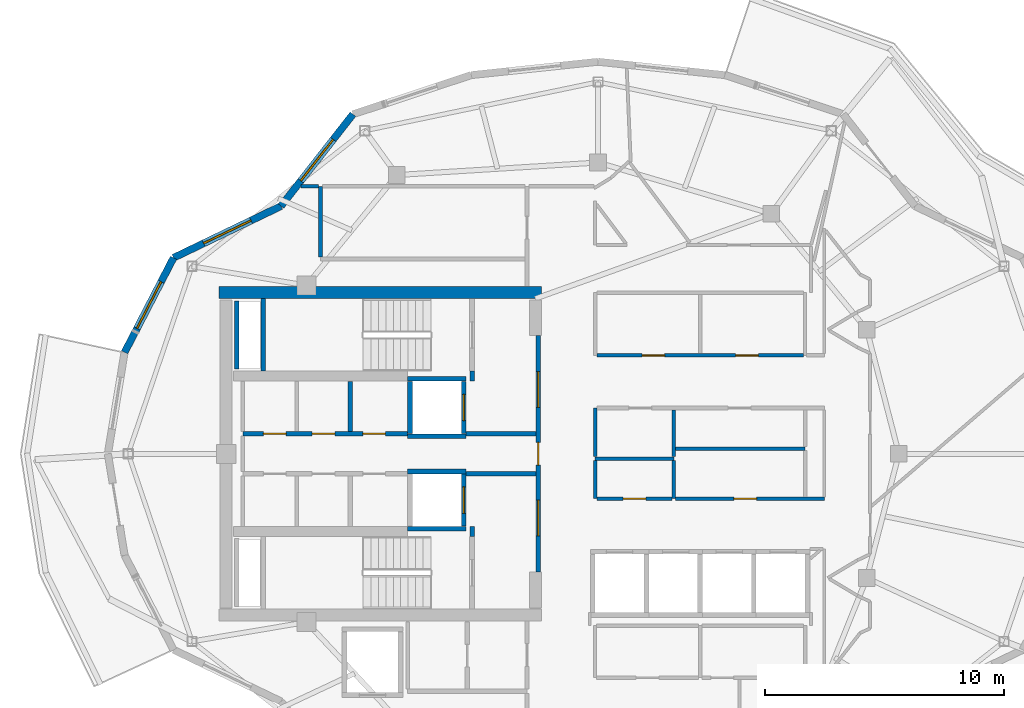
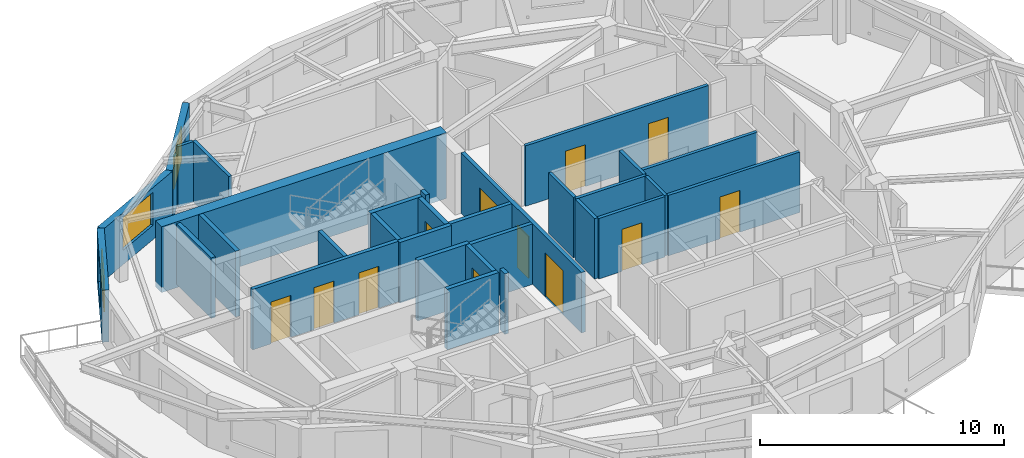
# One storey, part 5 of 11: 31 walls, 12 doors, 3 windows, 15 openings.
"""IFC4 building model written with IfcOpenShell, lengths in metres."""

from ifc_helpers import new_model, si_unit, direction, frame, frame_2d, origin, place, context, subcontext, project, spatial, rectangle, extrude, material, layer, layer_set, type_object, element, fill, save


model = new_model("IFC4")

# Units and contexts
model_context = context("Model", 3, precision=1e-05, world=origin(), true_north=direction((0.0, 1.0)))
body_context = subcontext(model_context, "Body", "Model", "MODEL_VIEW")
ifc_project = project(units=[si_unit("LENGTHUNIT", "METRE"), si_unit("AREAUNIT", "SQUARE_METRE"), si_unit("VOLUMEUNIT", "CUBIC_METRE"), si_unit("PLANEANGLEUNIT", "RADIAN"), si_unit("MASSUNIT", "GRAM", prefix="KILO")], contexts=[model_context])

# Site, building, storey
site_placement = place(None, origin())
site = spatial("IfcSite", under=ifc_project, at=site_placement, CompositionType="ELEMENT")
building_placement = place(site_placement, origin())
building = spatial("IfcBuilding", under=site, at=building_placement, Name="Kolvaren Gate Tower and Convention Centre", CompositionType="ELEMENT")
storey_placement = place(building_placement, frame((0.0, 0.0, 262.39990234375)))
storey = spatial("IfcBuildingStorey", under=building, at=storey_placement, Name="L71", CompositionType="ELEMENT", Elevation=262.39990234375)

# Walls
ifc_material_1 = material(Name="Autoclaved Aerated Masonry Blockwork Class 4 (4.0 MPa)", Category="masonry")
ifc_layer_1 = layer(ifc_material_1, 0.179931640625)
ifc_layer_set_1 = layer_set([ifc_layer_1], Name="Autoclaved Aerated Masonry Blockwork Class 4 (4.0 MPa)")
wall_type_1 = type_object("IfcWallType", Name="ARCH-WL-COMP-180", PredefinedType="SOLIDWALL", material=ifc_layer_set_1)
for number, where, z_axis, x_axis, name in (
    (1, (24.85009765625, 23.5400390625, 0.0), (0.0, 0.0, 1.0), (0.0, 1.0, 0.0), "Interior Partition WL-L71-INT-001"),
    (2, (24.85009765625, 30.0400390625, 0.0), (0.0, 0.0, 1.0), (0.0, 1.0, 0.0), "Interior Partition WL-L71-INT-002"),
):
    element("IfcWall", number, at=place(storey_placement, frame(where, z_axis=z_axis, x_axis=x_axis)), inside=storey, type_object=wall_type_1, Name=name, PredefinedType="SOLIDWALL", context=body_context, shape_type="SweptSolid", body=[
        extrude(rectangle(XDim=0.419921875, YDim=0.179931640625, at=frame_2d((0.2099609375, 0.0))), origin(), (0.0, 0.0, 1.0), 3.030029296875),
    ])

# Wall, openings, doors
wall_1_placement = place(storey_placement, frame((27.6201171875, 22.050048828125, 0.0), z_axis=(0.0, 0.0, 1.0), x_axis=(0.0, 1.0, 0.0)))
wall_1 = element("IfcWall", 3, at=wall_1_placement, inside=storey, type_object=wall_type_1, Name="Interior Partition WL-L71-INT-003", PredefinedType="SOLIDWALL", context=body_context, shape_type="SweptSolid", body=[
    extrude(rectangle(XDim=9.89990234375, YDim=0.179931640625, at=frame_2d((4.949951171875, 0.0))), origin(), (0.0, 0.0, 1.0), 3.030029296875),
])
opening_1_placement = place(wall_1_placement, frame((4.47509765625, 0.0, 0.0)))
opening_1 = element("IfcOpeningElement", 4, at=opening_1_placement, cuts=wall_1, Name="Opening DR-01", PredefinedType="OPENING", context=body_context, shape_type="SweptSolid", body=[
    extrude(rectangle(XDim=0.949951171875, YDim=2.10009765625, at=frame_2d((0.47509765625, 1.050048828125))), frame((0.0, 0.099853515625, 0.0), z_axis=(0.0, -1.0, 0.0), x_axis=(1.0, 0.0, 0.0)), (0.0, 0.0, 1.0), 0.199951171875),
])
opening_2_placement = place(wall_1_placement, frame((6.889892578125, 0.0, 0.0)))
opening_2 = element("IfcOpeningElement", 5, at=opening_2_placement, cuts=wall_1, Name="Opening DL-01", PredefinedType="OPENING", context=body_context, shape_type="SweptSolid", body=[
    extrude(rectangle(XDim=1.5, YDim=2.199951171875, at=frame_2d((0.75, 1.10009765625))), frame((0.0, 0.099853515625, 0.0), z_axis=(0.0, -1.0, 0.0), x_axis=(1.0, 0.0, 0.0)), (0.0, 0.0, 1.0), 0.199951171875),
])
opening_3_placement = place(wall_1_placement, frame((1.510009765625, 0.0, 0.0)))
opening_3 = element("IfcOpeningElement", 6, at=opening_3_placement, cuts=wall_1, Name="Opening DL-01", PredefinedType="OPENING", context=body_context, shape_type="SweptSolid", body=[
    extrude(rectangle(XDim=1.5, YDim=2.199951171875, at=frame_2d((0.75, 1.10009765625))), frame((0.0, 0.099853515625, 0.0), z_axis=(0.0, -1.0, 0.0), x_axis=(1.0, 0.0, 0.0)), (0.0, 0.0, 1.0), 0.199951171875),
])
ifc_material_2 = material(Name="Painted Architectural Steelwork ASTM A500 Grade C 345 MPa", Category="steel")
door_type_1 = type_object("IfcDoorType", Name="ARCH-DR-LOBBY-1500", OperationType="DOUBLE_DOOR_SINGLE_SWING", PredefinedType="DOOR", material=ifc_material_2)
door_1_placement = place(opening_2_placement, origin())
door_1 = element("IfcDoor", 7, at=door_1_placement, inside=storey, type_object=door_type_1, Name="North Firefighting Stair and Lift Lobby Door", OperationType="DOUBLE_DOOR_SINGLE_SWING", OverallHeight=2.199951171875, OverallWidth=1.5, PredefinedType="DOOR", context=body_context, shape_type="SweptSolid", body=[
    extrude(rectangle(XDim=1.5, YDim=2.199951171875, at=frame_2d((0.75, 1.10009765625))), frame((0.0, 0.02490234375, 0.0), z_axis=(0.0, -1.0, 0.0), x_axis=(1.0, 0.0, 0.0)), (0.0, 0.0, 1.0), 0.050048828125),
])
fill(opening_2, door_1)
door_2_placement = place(opening_3_placement, origin())
door_2 = element("IfcDoor", 8, at=door_2_placement, inside=storey, type_object=door_type_1, Name="South Firefighting Stair and Lift Lobby Door", OperationType="DOUBLE_DOOR_SINGLE_SWING", OverallHeight=2.199951171875, OverallWidth=1.5, PredefinedType="DOOR", context=body_context, shape_type="SweptSolid", body=[
    extrude(rectangle(XDim=1.5, YDim=2.199951171875, at=frame_2d((0.75, 1.10009765625))), frame((0.0, 0.02490234375, 0.0), z_axis=(0.0, -1.0, 0.0), x_axis=(1.0, 0.0, 0.0)), (0.0, 0.0, 1.0), 0.050048828125),
])
fill(opening_3, door_2)
door_type_2 = type_object("IfcDoorType", Name="ARCH-DR-RISER-950", OperationType="SINGLE_SWING_RIGHT", PredefinedType="DOOR", material=ifc_material_2)
door_3_placement = place(opening_1_placement, origin())
door_3 = element("IfcDoor", 9, at=door_3_placement, inside=storey, type_object=door_type_2, Name="Central MEP Service Corridor Door", OperationType="SINGLE_SWING_RIGHT", OverallHeight=2.10009765625, OverallWidth=0.949951171875, PredefinedType="DOOR", context=body_context, shape_type="SweptSolid", body=[
    extrude(rectangle(XDim=0.949951171875, YDim=2.10009765625, at=frame_2d((0.47509765625, 1.050048828125))), frame((0.0, 0.02490234375, 0.0), z_axis=(0.0, -1.0, 0.0), x_axis=(1.0, 0.0, 0.0)), (0.0, 0.0, 1.0), 0.050048828125),
])
fill(opening_1, door_3)

wall_2_placement = place(storey_placement, frame((15.25, 27.840087890625, 0.0), z_axis=(0.0, 0.0, 1.0), x_axis=(1.0, 0.0, 0.0)))
wall_2 = element("IfcWall", 10, at=wall_2_placement, inside=storey, type_object=wall_type_1, Name="Interior Partition WL-L71-INT-004", PredefinedType="SOLIDWALL", context=body_context, shape_type="SweptSolid", body=[
    extrude(rectangle(XDim=6.89990234375, YDim=0.179931640625, at=frame_2d((3.449951171875, 0.0))), origin(), (0.0, 0.0, 1.0), 3.030029296875),
])
opening_4_placement = place(wall_2_placement, frame((5.02001953125, 0.0, 0.0)))
opening_4 = element("IfcOpeningElement", 11, at=opening_4_placement, cuts=wall_2, Name="Opening DR-01", PredefinedType="OPENING", context=body_context, shape_type="SweptSolid", body=[
    extrude(rectangle(XDim=0.949951171875, YDim=2.10009765625, at=frame_2d((0.47509765625, 1.050048828125))), frame((0.0, 0.099853515625, 0.0), z_axis=(0.0, -1.0, 0.0), x_axis=(1.0, 0.0, 0.0)), (0.0, 0.0, 1.0), 0.199951171875),
])
opening_5_placement = place(wall_2_placement, frame((0.85498046875, 0.0, 0.0)))
opening_5 = element("IfcOpeningElement", 12, at=opening_5_placement, cuts=wall_2, Name="Opening DR-01", PredefinedType="OPENING", context=body_context, shape_type="SweptSolid", body=[
    extrude(rectangle(XDim=0.949951171875, YDim=2.10009765625, at=frame_2d((0.47509765625, 1.050048828125))), frame((0.0, 0.099853515625, 0.0), z_axis=(0.0, -1.0, 0.0), x_axis=(1.0, 0.0, 0.0)), (0.0, 0.0, 1.0), 0.199951171875),
])
opening_6_placement = place(wall_2_placement, frame((2.89990234375, 0.0, 0.0)))
opening_6 = element("IfcOpeningElement", 13, at=opening_6_placement, cuts=wall_2, Name="Opening DR-01", PredefinedType="OPENING", context=body_context, shape_type="SweptSolid", body=[
    extrude(rectangle(XDim=0.949951171875, YDim=2.10009765625, at=frame_2d((0.47509765625, 1.050048828125))), frame((0.0, 0.099853515625, 0.0), z_axis=(0.0, -1.0, 0.0), x_axis=(1.0, 0.0, 0.0)), (0.0, 0.0, 1.0), 0.199951171875),
])
door_4_placement = place(opening_4_placement, origin())
door_4 = element("IfcDoor", 14, at=door_4_placement, inside=storey, type_object=door_type_2, Name="Electrical Switchgear Closet Door", OperationType="SINGLE_SWING_LEFT", OverallHeight=2.10009765625, OverallWidth=0.949951171875, PredefinedType="DOOR", context=body_context, shape_type="SweptSolid", body=[
    extrude(rectangle(XDim=0.949951171875, YDim=2.10009765625, at=frame_2d((0.47509765625, 1.050048828125))), frame((0.0, 0.02490234375, 0.0), z_axis=(0.0, -1.0, 0.0), x_axis=(1.0, 0.0, 0.0)), (0.0, 0.0, 1.0), 0.050048828125),
])
fill(opening_4, door_4)
door_5_placement = place(opening_5_placement, origin())
door_5 = element("IfcDoor", 15, at=door_5_placement, inside=storey, type_object=door_type_2, Name="Staff Accessible WC Door", OperationType="SINGLE_SWING_LEFT", OverallHeight=2.10009765625, OverallWidth=0.949951171875, PredefinedType="DOOR", context=body_context, shape_type="SweptSolid", body=[
    extrude(rectangle(XDim=0.949951171875, YDim=2.10009765625, at=frame_2d((0.47509765625, 1.050048828125))), frame((0.0, 0.02490234375, 0.0), z_axis=(0.0, -1.0, 0.0), x_axis=(1.0, 0.0, 0.0)), (0.0, 0.0, 1.0), 0.050048828125),
])
fill(opening_5, door_5)
door_6_placement = place(opening_6_placement, origin())
door_6 = element("IfcDoor", 16, at=door_6_placement, inside=storey, type_object=door_type_2, Name="Housekeeping Sink Closet Door", OperationType="SINGLE_SWING_RIGHT", OverallHeight=2.10009765625, OverallWidth=0.949951171875, PredefinedType="DOOR", context=body_context, shape_type="SweptSolid", body=[
    extrude(rectangle(XDim=0.949951171875, YDim=2.10009765625, at=frame_2d((0.47509765625, 1.050048828125))), frame((0.0, 0.02490234375, 0.0), z_axis=(0.0, -1.0, 0.0), x_axis=(1.0, 0.0, 0.0)), (0.0, 0.0, 1.0), 0.050048828125),
])
fill(opening_6, door_6)

# Walls
for number, where, z_axis, x_axis, name in (
    (17, (24.60009765625, 27.840087890625, 0.0), (0.0, 0.0, 1.0), (1.0, 0.0, 0.0), "Interior Partition WL-L71-INT-004 (2)"),
    (18, (24.60009765625, 26.159912109375, 0.0), (0.0, 0.0, 1.0), (1.0, 0.0, 0.0), "Interior Partition WL-L71-INT-005 (2)"),
):
    element("IfcWall", number, at=place(storey_placement, frame(where, z_axis=z_axis, x_axis=x_axis)), inside=storey, type_object=wall_type_1, Name=name, PredefinedType="SOLIDWALL", context=body_context, shape_type="SweptSolid", body=[
        extrude(rectangle(XDim=2.927978515625, YDim=0.179931640625, at=frame_2d((1.4638671875, 0.0))), origin(), (0.0, 0.0, 1.0), 3.030029296875),
    ])
wall_3_placement = place(storey_placement, frame((19.75, 27.931884765625, 0.0), z_axis=(0.0, 0.0, 1.0), x_axis=(0.0, 1.0, 0.0)))
element("IfcWall", 19, at=wall_3_placement, inside=storey, type_object=wall_type_1, Name="Interior Partition WL-L71-INT-008", PredefinedType="SOLIDWALL", context=body_context, shape_type="SweptSolid", body=[
    extrude(rectangle(XDim=2.106201171875, YDim=0.179931640625, at=frame_2d((1.05322265625, 0.0))), origin(), (0.0, 0.0, 1.0), 3.030029296875),
])
ifc_layer_2 = layer(ifc_material_1, 0.199951171875)
ifc_layer_set_2 = layer_set([ifc_layer_2], Name="Autoclaved Aerated Masonry Blockwork Class 4 (4.0 MPa)")
wall_type_2 = type_object("IfcWallType", Name="ARCH-WL-SHAFT-200", PredefinedType="SOLIDWALL", material=ifc_layer_set_2)
for number, where, z_axis, x_axis, name in (
    (20, (22.14990234375, 30.139892578125, 0.0), (0.0, 0.0, 1.0), (1.0, 0.0, 0.0), "Elevator FF-01 L71 Fire Shaft Wall N"),
    (21, (22.14990234375, 27.739990234375, 0.0), (0.0, 0.0, 1.0), (1.0, 0.0, 0.0), "Elevator FF-01 L71 Fire Shaft Wall S"),
):
    element("IfcWall", number, at=place(storey_placement, frame(where, z_axis=z_axis, x_axis=x_axis)), inside=storey, type_object=wall_type_2, Name=name, PredefinedType="SOLIDWALL", context=body_context, shape_type="SweptSolid", body=[
        extrude(rectangle(XDim=2.4501953125, YDim=0.199951171875, at=frame_2d((1.22509765625, 0.0))), origin(), (0.0, 0.0, 1.0), 3.030029296875),
    ])
wall_4_placement = place(storey_placement, frame((22.25, 27.85009765625, 0.0), z_axis=(0.0, 0.0, 1.0), x_axis=(0.0, 1.0, 0.0)))
element("IfcWall", 22, at=wall_4_placement, inside=storey, type_object=wall_type_2, Name="Elevator FF-01 L71 Fire Shaft Wall W", PredefinedType="SOLIDWALL", context=body_context, shape_type="SweptSolid", body=[
    extrude(rectangle(XDim=2.179931640625, YDim=0.199951171875, at=frame_2d((1.08984375, 0.0))), origin(), (0.0, 0.0, 1.0), 3.030029296875),
])

# Wall, opening, door
wall_5_placement = place(storey_placement, frame((24.5, 27.85009765625, 0.0), z_axis=(0.0, 0.0, 1.0), x_axis=(0.0, 1.0, 0.0)))
wall_5 = element("IfcWall", 23, at=wall_5_placement, inside=storey, type_object=wall_type_2, Name="Elevator FF-01 L71 Fire Shaft Wall E", PredefinedType="SOLIDWALL", context=body_context, shape_type="SweptSolid", body=[
    extrude(rectangle(XDim=2.179931640625, YDim=0.199951171875, at=frame_2d((1.08984375, 0.0))), origin(), (0.0, 0.0, 1.0), 3.030029296875),
])
opening_7_placement = place(wall_5_placement, frame((0.5400390625, 0.0, 0.0)))
opening_7 = element("IfcOpeningElement", 24, at=opening_7_placement, cuts=wall_5, Name="Opening LD", PredefinedType="OPENING", context=body_context, shape_type="SweptSolid", body=[
    extrude(rectangle(XDim=1.10009765625, YDim=2.199951171875, at=frame_2d((0.550048828125, 1.10009765625))), frame((0.0, 0.10986328125, 0.0), z_axis=(0.0, -1.0, 0.0), x_axis=(1.0, 0.0, 0.0)), (0.0, 0.0, 1.0), 0.219970703125),
])
ifc_material_3 = material(Name="Brushed Stainless Steel Grade 316L", Category="steel")
door_type_3 = type_object("IfcDoorType", Name="ARCH-DR-LIFT-1100", OperationType="SLIDING_TO_LEFT", PredefinedType="DOOR", material=ifc_material_3)
door_7_placement = place(opening_7_placement, origin())
door_7 = element("IfcDoor", 25, at=door_7_placement, inside=storey, type_object=door_type_3, Name="Elevator FF-01 L71 Sliding Landing Door", OperationType="SLIDING_TO_LEFT", OverallHeight=2.199951171875, OverallWidth=1.10009765625, PredefinedType="DOOR", context=body_context, shape_type="SweptSolid", body=[
    extrude(rectangle(XDim=1.10009765625, YDim=2.199951171875, at=frame_2d((0.550048828125, 1.10009765625))), frame((0.0, 0.02490234375, 0.0), z_axis=(0.0, -1.0, 0.0), x_axis=(1.0, 0.0, 0.0)), (0.0, 0.0, 1.0), 0.050048828125),
])
fill(opening_7, door_7)

# Walls
for number, where, z_axis, x_axis, name in (
    (26, (22.14990234375, 26.260009765625, 0.0), (0.0, 0.0, 1.0), (1.0, 0.0, 0.0), "Elevator FF-02 L71 Fire Shaft Wall N"),
    (27, (22.14990234375, 23.860107421875, 0.0), (0.0, 0.0, 1.0), (1.0, 0.0, 0.0), "Elevator FF-02 L71 Fire Shaft Wall S"),
):
    element("IfcWall", number, at=place(storey_placement, frame(where, z_axis=z_axis, x_axis=x_axis)), inside=storey, type_object=wall_type_2, Name=name, PredefinedType="SOLIDWALL", context=body_context, shape_type="SweptSolid", body=[
        extrude(rectangle(XDim=2.4501953125, YDim=0.199951171875, at=frame_2d((1.22509765625, 0.0))), origin(), (0.0, 0.0, 1.0), 3.030029296875),
    ])

# Wall, opening, door
wall_6_placement = place(storey_placement, frame((24.5, 23.969970703125, 0.0), z_axis=(0.0, 0.0, 1.0), x_axis=(0.0, 1.0, 0.0)))
wall_6 = element("IfcWall", 28, at=wall_6_placement, inside=storey, type_object=wall_type_2, Name="Elevator FF-02 L71 Fire Shaft Wall E", PredefinedType="SOLIDWALL", context=body_context, shape_type="SweptSolid", body=[
    extrude(rectangle(XDim=2.179931640625, YDim=0.199951171875, at=frame_2d((1.08984375, 0.0))), origin(), (0.0, 0.0, 1.0), 3.030029296875),
])
opening_8_placement = place(wall_6_placement, frame((0.5400390625, 0.0, 0.0)))
opening_8 = element("IfcOpeningElement", 29, at=opening_8_placement, cuts=wall_6, Name="Opening LD", PredefinedType="OPENING", context=body_context, shape_type="SweptSolid", body=[
    extrude(rectangle(XDim=1.10009765625, YDim=2.199951171875, at=frame_2d((0.550048828125, 1.10009765625))), frame((0.0, 0.10986328125, 0.0), z_axis=(0.0, -1.0, 0.0), x_axis=(1.0, 0.0, 0.0)), (0.0, 0.0, 1.0), 0.219970703125),
])
door_8_placement = place(opening_8_placement, origin())
door_8 = element("IfcDoor", 30, at=door_8_placement, inside=storey, type_object=door_type_3, Name="Elevator FF-02 L71 Sliding Landing Door", OperationType="SLIDING_TO_LEFT", OverallHeight=2.199951171875, OverallWidth=1.10009765625, PredefinedType="DOOR", context=body_context, shape_type="SweptSolid", body=[
    extrude(rectangle(XDim=1.10009765625, YDim=2.199951171875, at=frame_2d((0.550048828125, 1.10009765625))), frame((0.0, 0.02490234375, 0.0), z_axis=(0.0, -1.0, 0.0), x_axis=(1.0, 0.0, 0.0)), (0.0, 0.0, 1.0), 0.050048828125),
])
fill(opening_8, door_8)

# Wall
wall_7_placement = place(storey_placement, frame((14.989990234375, 30.550048828125, 0.0), z_axis=(0.0, 0.0, 1.0), x_axis=(0.0, 1.0, 0.0)))
element("IfcWall", 31, at=wall_7_placement, inside=storey, type_object=wall_type_2, Name="Vertical Shaft HVR L71 EI-120 Enclosure Wall W", PredefinedType="SOLIDWALL", context=body_context, shape_type="SweptSolid", body=[
    extrude(rectangle(XDim=2.849853515625, YDim=0.199951171875, at=frame_2d((1.4248046875, 0.0))), origin(), (0.0, 0.0, 1.0), 3.030029296875),
])

# Wall, opening, window
ifc_material_4 = material(Name="Piedmont Cream Honed Limestone Cladding", Category="masonry")
ifc_layer_3 = layer(ifc_material_4, 0.300048828125)
ifc_layer_set_3 = layer_set([ifc_layer_3], Name="Piedmont Cream Honed Limestone Cladding")
wall_type_3 = type_object("IfcWallType", Name="ARCH-WL-STONE-300", PredefinedType="SOLIDWALL", material=ifc_layer_set_3)
wall_8_placement = place(storey_placement, frame((16.84619140625, 37.37548828125, 0.0), z_axis=(0.0, 0.0, 1.0), x_axis=(0.616413297421, 0.78742278781, 0.0)))
wall_8 = element("IfcWall", 32, at=wall_8_placement, inside=storey, type_object=wall_type_3, Name="Tower L71 Honed Stone Spandrel Wall EW-08", PredefinedType="SOLIDWALL", context=body_context, shape_type="SweptSolid", body=[
    extrude(rectangle(XDim=4.88818359375, YDim=0.300048828125, at=frame_2d((2.444091796875, 0.0))), origin(), (0.0, 0.0, 1.0), 2.60498046875),
])
opening_9_placement = place(wall_8_placement, frame((1.343994140625, 0.0, 0.719970703125)))
opening_9 = element("IfcOpeningElement", 33, at=opening_9_placement, cuts=wall_8, Name="Opening W-03", PredefinedType="OPENING", context=body_context, shape_type="SweptSolid", body=[
    extrude(rectangle(XDim=2.199951171875, YDim=1.64990234375, at=frame_2d((1.10009765625, 0.824951171875))), frame((0.0, 0.159912109375, 0.0), z_axis=(0.0, -1.0, 0.0), x_axis=(1.0, 0.0, 0.0)), (0.0, 0.0, 1.0), 0.320068359375),
])
ifc_material_5 = material(Name="Low-E Triple Insulated Glazing Unit 44 mm", Category="glass")
window_type = type_object("IfcWindowType", Name="ARCH-WN-RES-2200", PartitioningType="SINGLE_PANEL", PredefinedType="WINDOW", material=ifc_material_5)
window_1_placement = place(opening_9_placement, origin())
window_1 = element("IfcWindow", 34, at=window_1_placement, inside=storey, type_object=window_type, Name="Tower L71 Punched Stone Facade Window W-08", OverallHeight=1.64990234375, OverallWidth=2.199951171875, PartitioningType="SINGLE_PANEL", PredefinedType="WINDOW", context=body_context, shape_type="SweptSolid", body=[
    extrude(rectangle(XDim=2.199951171875, YDim=1.64990234375, at=frame_2d((1.10009765625, 0.824951171875))), frame((0.0, 0.030029296875, 0.0), z_axis=(0.0, -1.0, 0.0), x_axis=(1.0, 0.0, 0.0)), (0.0, 0.0, 1.0), 0.06005859375),
])
fill(opening_9, window_1)

wall_9_placement = place(storey_placement, frame((12.344482421875, 35.21240234375, 0.0), z_axis=(0.0, 0.0, 1.0), x_axis=(0.901346013132, 0.433099716706, 0.0)))
wall_9 = element("IfcWall", 35, at=wall_9_placement, inside=storey, type_object=wall_type_3, Name="Tower L71 Honed Stone Spandrel Wall EW-09", PredefinedType="SOLIDWALL", context=body_context, shape_type="SweptSolid", body=[
    extrude(rectangle(XDim=4.994384765625, YDim=0.300048828125, at=frame_2d((2.4970703125, 0.0))), origin(), (0.0, 0.0, 1.0), 2.60498046875),
])
opening_10_placement = place(wall_9_placement, frame((1.39697265625, 0.0, 0.719970703125)))
opening_10 = element("IfcOpeningElement", 36, at=opening_10_placement, cuts=wall_9, Name="Opening W-03", PredefinedType="OPENING", context=body_context, shape_type="SweptSolid", body=[
    extrude(rectangle(XDim=2.199951171875, YDim=1.64990234375, at=frame_2d((1.10009765625, 0.824951171875))), frame((0.0, 0.159912109375, 0.0), z_axis=(0.0, -1.0, 0.0), x_axis=(1.0, 0.0, 0.0)), (0.0, 0.0, 1.0), 0.320068359375),
])
window_2_placement = place(opening_10_placement, origin())
window_2 = element("IfcWindow", 37, at=window_2_placement, inside=storey, type_object=window_type, Name="Tower L71 Punched Stone Facade Window W-09", OverallHeight=1.64990234375, OverallWidth=2.199951171875, PartitioningType="SINGLE_PANEL", PredefinedType="WINDOW", context=body_context, shape_type="SweptSolid", body=[
    extrude(rectangle(XDim=2.199951171875, YDim=1.64990234375, at=frame_2d((1.10009765625, 0.824951171875))), frame((0.0, 0.030029296875, 0.0), z_axis=(0.0, -1.0, 0.0), x_axis=(1.0, 0.0, 0.0)), (0.0, 0.0, 1.0), 0.06005859375),
])
fill(opening_10, window_2)

wall_10_placement = place(storey_placement, frame((10.29345703125, 31.251220703125, 0.0), z_axis=(0.0, 0.0, 1.0), x_axis=(0.459801070243, 0.888021945564, 0.0)))
wall_10 = element("IfcWall", 38, at=wall_10_placement, inside=storey, type_object=wall_type_3, Name="Tower L71 Honed Stone Spandrel Wall EW-10", PredefinedType="SOLIDWALL", context=body_context, shape_type="SweptSolid", body=[
    extrude(rectangle(XDim=4.460693359375, YDim=0.300048828125, at=frame_2d((2.23046875, 0.0))), origin(), (0.0, 0.0, 1.0), 2.60498046875),
])
opening_11_placement = place(wall_10_placement, frame((1.1298828125, 0.0, 0.719970703125)))
opening_11 = element("IfcOpeningElement", 39, at=opening_11_placement, cuts=wall_10, Name="Opening W-03", PredefinedType="OPENING", context=body_context, shape_type="SweptSolid", body=[
    extrude(rectangle(XDim=2.199951171875, YDim=1.64990234375, at=frame_2d((1.10009765625, 0.824951171875))), frame((0.0, 0.159912109375, 0.0), z_axis=(0.0, -1.0, 0.0), x_axis=(1.0, 0.0, 0.0)), (0.0, 0.0, 1.0), 0.320068359375),
])
window_3_placement = place(opening_11_placement, origin())
window_3 = element("IfcWindow", 40, at=window_3_placement, inside=storey, type_object=window_type, Name="Tower L71 Punched Stone Facade Window W-10", OverallHeight=1.64990234375, OverallWidth=2.199951171875, PartitioningType="SINGLE_PANEL", PredefinedType="WINDOW", context=body_context, shape_type="SweptSolid", body=[
    extrude(rectangle(XDim=2.199951171875, YDim=1.64990234375, at=frame_2d((1.10009765625, 0.824951171875))), frame((0.0, 0.030029296875, 0.0), z_axis=(0.0, -1.0, 0.0), x_axis=(1.0, 0.0, 0.0)), (0.0, 0.0, 1.0), 0.06005859375),
])
fill(opening_11, window_3)

# Walls
ifc_material_6 = material(Name="Moisture-Resistant Cement-Board Acoustic Partition", Category="gypsum")
ifc_layer_4 = layer(ifc_material_6, 0.14990234375)
ifc_layer_set_4 = layer_set([ifc_layer_4], Name="Moisture-Resistant Cement-Board Acoustic Partition")
wall_type_4 = type_object("IfcWallType", Name="ARCH-WL-WET-150", PredefinedType="PARTITIONING", material=ifc_layer_set_4)
wall_11_placement = place(storey_placement, frame((30.0, 26.800048828125, 0.0), z_axis=(0.0, 0.0, 1.0), x_axis=(1.0, 0.0, 0.0)))
element("IfcWall", 41, at=wall_11_placement, inside=storey, type_object=wall_type_4, Name="Interior Partition WL-L71-INT-016", PredefinedType="PARTITIONING", context=body_context, shape_type="SweptSolid", body=[
    extrude(rectangle(XDim=3.300048828125, YDim=0.14990234375, at=frame_2d((1.64990234375, 0.0))), origin(), (0.0, 0.0, 1.0), 3.030029296875),
])
wall_12_placement = place(storey_placement, frame((30.0, 25.1201171875, 0.0), z_axis=(0.0, 0.0, 1.0), x_axis=(0.0, 1.0, 0.0)))
element("IfcWall", 42, at=wall_12_placement, inside=storey, type_object=wall_type_4, Name="Interior Partition WL-L71-INT-018", PredefinedType="PARTITIONING", context=body_context, shape_type="SweptSolid", body=[
    extrude(rectangle(XDim=1.602783203125, YDim=0.14990234375, at=frame_2d((0.80126953125, 0.0))), origin(), (0.0, 0.0, 1.0), 3.030029296875),
])
wall_13_placement = place(storey_placement, frame((30.0, 26.876953125, 0.0), z_axis=(0.0, 0.0, 1.0), x_axis=(0.0, 1.0, 0.0)))
element("IfcWall", 43, at=wall_13_placement, inside=storey, type_object=wall_type_4, Name="Interior Partition WL-L71-INT-018 (2)", PredefinedType="PARTITIONING", context=body_context, shape_type="SweptSolid", body=[
    extrude(rectangle(XDim=2.04296875, YDim=0.14990234375, at=frame_2d((1.021484375, 0.0))), origin(), (0.0, 0.0, 1.0), 3.030029296875),
])
wall_14_placement = place(storey_placement, frame((33.300048828125, 25.1201171875, 0.0), z_axis=(0.0, 0.0, 1.0), x_axis=(0.0, 1.0, 0.0)))
element("IfcWall", 44, at=wall_14_placement, inside=storey, type_object=wall_type_4, Name="Interior Partition WL-L71-INT-022", PredefinedType="PARTITIONING", context=body_context, shape_type="SweptSolid", body=[
    extrude(rectangle(XDim=1.602783203125, YDim=0.14990234375, at=frame_2d((0.80126953125, 0.0))), origin(), (0.0, 0.0, 1.0), 3.030029296875),
])
wall_15_placement = place(storey_placement, frame((33.300048828125, 26.876953125, 0.0), z_axis=(0.0, 0.0, 1.0), x_axis=(0.0, 1.0, 0.0)))
element("IfcWall", 45, at=wall_15_placement, inside=storey, type_object=wall_type_4, Name="Interior Partition WL-L71-INT-022 (2)", PredefinedType="PARTITIONING", context=body_context, shape_type="SweptSolid", body=[
    extrude(rectangle(XDim=1.966064453125, YDim=0.14990234375, at=frame_2d((0.98291015625, 0.0))), origin(), (0.0, 0.0, 1.0), 3.030029296875),
])

# Wall, opening, door
wall_16_placement = place(storey_placement, frame((30.076904296875, 25.1201171875, 0.0), z_axis=(0.0, 0.0, 1.0), x_axis=(1.0, 0.0, 0.0)))
wall_16 = element("IfcWall", 46, at=wall_16_placement, inside=storey, type_object=wall_type_4, Name="Interior Partition WL-L71-INT-023", PredefinedType="PARTITIONING", context=body_context, shape_type="SweptSolid", body=[
    extrude(rectangle(XDim=3.14599609375, YDim=0.14990234375, at=frame_2d((1.572998046875, 0.0))), origin(), (0.0, 0.0, 1.0), 3.030029296875),
])
opening_12_placement = place(wall_16_placement, frame((1.097900390625, 0.0, 0.0)))
opening_12 = element("IfcOpeningElement", 47, at=opening_12_placement, cuts=wall_16, Name="Opening DR-01", PredefinedType="OPENING", context=body_context, shape_type="SweptSolid", body=[
    extrude(rectangle(XDim=0.949951171875, YDim=2.10009765625, at=frame_2d((0.47509765625, 1.050048828125))), frame((0.0, 0.0849609375, 0.0), z_axis=(0.0, -1.0, 0.0), x_axis=(1.0, 0.0, 0.0)), (0.0, 0.0, 1.0), 0.169921875),
])
door_9_placement = place(opening_12_placement, origin())
door_9 = element("IfcDoor", 48, at=door_9_placement, inside=storey, type_object=door_type_2, Name="South Visitor Washroom Door", OperationType="SINGLE_SWING_LEFT", OverallHeight=2.10009765625, OverallWidth=0.949951171875, PredefinedType="DOOR", context=body_context, shape_type="SweptSolid", body=[
    extrude(rectangle(XDim=0.949951171875, YDim=2.10009765625, at=frame_2d((0.47509765625, 1.050048828125))), frame((0.0, 0.02490234375, 0.0), z_axis=(0.0, -1.0, 0.0), x_axis=(1.0, 0.0, 0.0)), (0.0, 0.0, 1.0), 0.050048828125),
])
fill(opening_12, door_9)

wall_17_placement = place(storey_placement, frame((33.376953125, 25.1201171875, 0.0), z_axis=(0.0, 0.0, 1.0), x_axis=(1.0, 0.0, 0.0)))
wall_17 = element("IfcWall", 49, at=wall_17_placement, inside=storey, type_object=wall_type_4, Name="Interior Partition WL-L71-INT-023 (2)", PredefinedType="PARTITIONING", context=body_context, shape_type="SweptSolid", body=[
    extrude(rectangle(XDim=6.22314453125, YDim=0.14990234375, at=frame_2d((3.111572265625, 0.0))), origin(), (0.0, 0.0, 1.0), 3.030029296875),
])
opening_13_placement = place(wall_17_placement, frame((2.44140625, 0.0, 0.0)))
opening_13 = element("IfcOpeningElement", 50, at=opening_13_placement, cuts=wall_17, Name="Opening DR-01", PredefinedType="OPENING", context=body_context, shape_type="SweptSolid", body=[
    extrude(rectangle(XDim=0.949951171875, YDim=2.10009765625, at=frame_2d((0.47509765625, 1.050048828125))), frame((0.0, 0.0849609375, 0.0), z_axis=(0.0, -1.0, 0.0), x_axis=(1.0, 0.0, 0.0)), (0.0, 0.0, 1.0), 0.169921875),
])
door_10_placement = place(opening_13_placement, origin())
door_10 = element("IfcDoor", 51, at=door_10_placement, inside=storey, type_object=door_type_2, Name="Floor Coffee Pantry Door", OperationType="SINGLE_SWING_LEFT", OverallHeight=2.10009765625, OverallWidth=0.949951171875, PredefinedType="DOOR", context=body_context, shape_type="SweptSolid", body=[
    extrude(rectangle(XDim=0.949951171875, YDim=2.10009765625, at=frame_2d((0.47509765625, 1.050048828125))), frame((0.0, 0.02490234375, 0.0), z_axis=(0.0, -1.0, 0.0), x_axis=(1.0, 0.0, 0.0)), (0.0, 0.0, 1.0), 0.050048828125),
])
fill(opening_13, door_10)

# Wall
wall_18_placement = place(storey_placement, frame((33.376953125, 27.219970703125, 0.0), z_axis=(0.0, 0.0, 1.0), x_axis=(1.0, 0.0, 0.0)))
element("IfcWall", 52, at=wall_18_placement, inside=storey, type_object=wall_type_4, Name="Interior Partition WL-L71-INT-024", PredefinedType="PARTITIONING", context=body_context, shape_type="SweptSolid", body=[
    extrude(rectangle(XDim=5.423095703125, YDim=0.14990234375, at=frame_2d((2.71142578125, 0.0))), origin(), (0.0, 0.0, 1.0), 3.030029296875),
])

# Wall, openings, doors
wall_19_placement = place(storey_placement, frame((30.076904296875, 31.1201171875, 0.0), z_axis=(0.0, 0.0, 1.0), x_axis=(1.0, 0.0, 0.0)))
wall_19 = element("IfcWall", 53, at=wall_19_placement, inside=storey, type_object=wall_type_4, Name="Interior Partition WL-L71-INT-028", PredefinedType="PARTITIONING", context=body_context, shape_type="SweptSolid", body=[
    extrude(rectangle(XDim=8.6611328125, YDim=0.14990234375, at=frame_2d((4.33056640625, 0.0))), origin(), (0.0, 0.0, 1.0), 3.030029296875),
])
opening_14_placement = place(wall_19_placement, frame((1.8916015625, 0.0, 0.0)))
opening_14 = element("IfcOpeningElement", 54, at=opening_14_placement, cuts=wall_19, Name="Opening DR-01", PredefinedType="OPENING", context=body_context, shape_type="SweptSolid", body=[
    extrude(rectangle(XDim=0.949951171875, YDim=2.10009765625, at=frame_2d((0.47509765625, 1.050048828125))), frame((0.0, 0.0849609375, 0.0), z_axis=(0.0, -1.0, 0.0), x_axis=(1.0, 0.0, 0.0)), (0.0, 0.0, 1.0), 0.169921875),
])
opening_15_placement = place(wall_19_placement, frame((5.81201171875, 0.0, 0.0)))
opening_15 = element("IfcOpeningElement", 55, at=opening_15_placement, cuts=wall_19, Name="Opening DR-01", PredefinedType="OPENING", context=body_context, shape_type="SweptSolid", body=[
    extrude(rectangle(XDim=0.949951171875, YDim=2.10009765625, at=frame_2d((0.47509765625, 1.050048828125))), frame((0.0, 0.0849609375, 0.0), z_axis=(0.0, -1.0, 0.0), x_axis=(1.0, 0.0, 0.0)), (0.0, 0.0, 1.0), 0.169921875),
])
door_11_placement = place(opening_14_placement, origin())
door_11 = element("IfcDoor", 56, at=door_11_placement, inside=storey, type_object=door_type_2, Name="Valet and Linen Store Door", OperationType="SINGLE_SWING_RIGHT", OverallHeight=2.10009765625, OverallWidth=0.949951171875, PredefinedType="DOOR", context=body_context, shape_type="SweptSolid", body=[
    extrude(rectangle(XDim=0.949951171875, YDim=2.10009765625, at=frame_2d((0.47509765625, 1.050048828125))), frame((0.0, 0.02490234375, 0.0), z_axis=(0.0, -1.0, 0.0), x_axis=(1.0, 0.0, 0.0)), (0.0, 0.0, 1.0), 0.050048828125),
])
fill(opening_14, door_11)
door_12_placement = place(opening_15_placement, origin())
door_12 = element("IfcDoor", 57, at=door_12_placement, inside=storey, type_object=door_type_2, Name="Ice and Beverage Pantry Door", OperationType="SINGLE_SWING_LEFT", OverallHeight=2.10009765625, OverallWidth=0.949951171875, PredefinedType="DOOR", context=body_context, shape_type="SweptSolid", body=[
    extrude(rectangle(XDim=0.949951171875, YDim=2.10009765625, at=frame_2d((0.47509765625, 1.050048828125))), frame((0.0, 0.02490234375, 0.0), z_axis=(0.0, -1.0, 0.0), x_axis=(1.0, 0.0, 0.0)), (0.0, 0.0, 1.0), 0.050048828125),
])
fill(opening_15, door_12)

# Walls
wall_20_placement = place(storey_placement, frame((18.5, 35.237060546875, 0.0), z_axis=(0.0, 0.0, 1.0), x_axis=(0.0, 1.0, 0.0)))
element("IfcWall", 58, at=wall_20_placement, inside=storey, type_object=wall_type_4, Name="Interior Partition WL-L71-INT-035", PredefinedType="PARTITIONING", context=body_context, shape_type="SweptSolid", body=[
    extrude(rectangle(XDim=2.962890625, YDim=0.14990234375, at=frame_2d((1.4814453125, 0.0))), origin(), (0.0, 0.0, 1.0), 3.030029296875),
])
wall_21_placement = place(storey_placement, frame((17.684814453125, 38.199951171875, 0.0), z_axis=(0.0, 0.0, 1.0), x_axis=(1.0, 0.0, 0.0)))
element("IfcWall", 59, at=wall_21_placement, inside=storey, type_object=wall_type_4, Name="Interior Partition WL-L71-INT-036", PredefinedType="PARTITIONING", context=body_context, shape_type="SweptSolid", body=[
    extrude(rectangle(XDim=0.73828125, YDim=0.14990234375, at=frame_2d((0.369140625, 0.0))), origin(), (0.0, 0.0, 1.0), 3.030029296875),
])
ifc_material_7 = material(Name="Concrete C50/60", Category="concrete")
ifc_layer_5 = layer(ifc_material_7, 0.5)
ifc_layer_set_5 = layer_set([ifc_layer_5], Name="Concrete C50/60")
wall_type_5 = type_object("IfcWallType", Name="STR-WL-CORE-500", PredefinedType="SHEAR", material=ifc_layer_set_5)
wall_22_placement = place(storey_placement, frame((14.25, 33.75, -0.27001953125), z_axis=(0.0, 0.0, 1.0), x_axis=(1.0, 0.0, 0.0)))
element("IfcWall", 60, at=wall_22_placement, inside=storey, type_object=wall_type_5, Name="Tower L71 Offset Core Shear Wall N", PredefinedType="SHEAR", context=body_context, shape_type="SweptSolid", body=[
    extrude(rectangle(XDim=13.5, YDim=0.5, at=frame_2d((6.75, 0.0))), origin(), (0.0, 0.0, 1.0), 3.300048828125),
])
ifc_layer_6 = layer(ifc_material_7, 0.199951171875)
ifc_layer_set_6 = layer_set([ifc_layer_6], Name="Concrete C50/60")
wall_type_6 = type_object("IfcWallType", Name="STR-WL-SHAFT-200", PredefinedType="SHEAR", material=ifc_layer_set_6)
wall_23_placement = place(storey_placement, frame((16.10009765625, 30.4619140625, -0.27001953125), z_axis=(0.0, 0.0, 1.0), x_axis=(0.0, 1.0, 0.0)))
element("IfcWall", 61, at=wall_23_placement, inside=storey, type_object=wall_type_6, Name="Tower North Exit Stair ST-T1 L71 Structural Shear Enclosure Wall FAR", PredefinedType="SHEAR", context=body_context, shape_type="SweptSolid", body=[
    extrude(rectangle(XDim=3.0361328125, YDim=0.199951171875, at=frame_2d((1.51806640625, 0.0))), origin(), (0.0, 0.0, 1.0), 3.300048828125),
])

save(model, "model.ifc")
